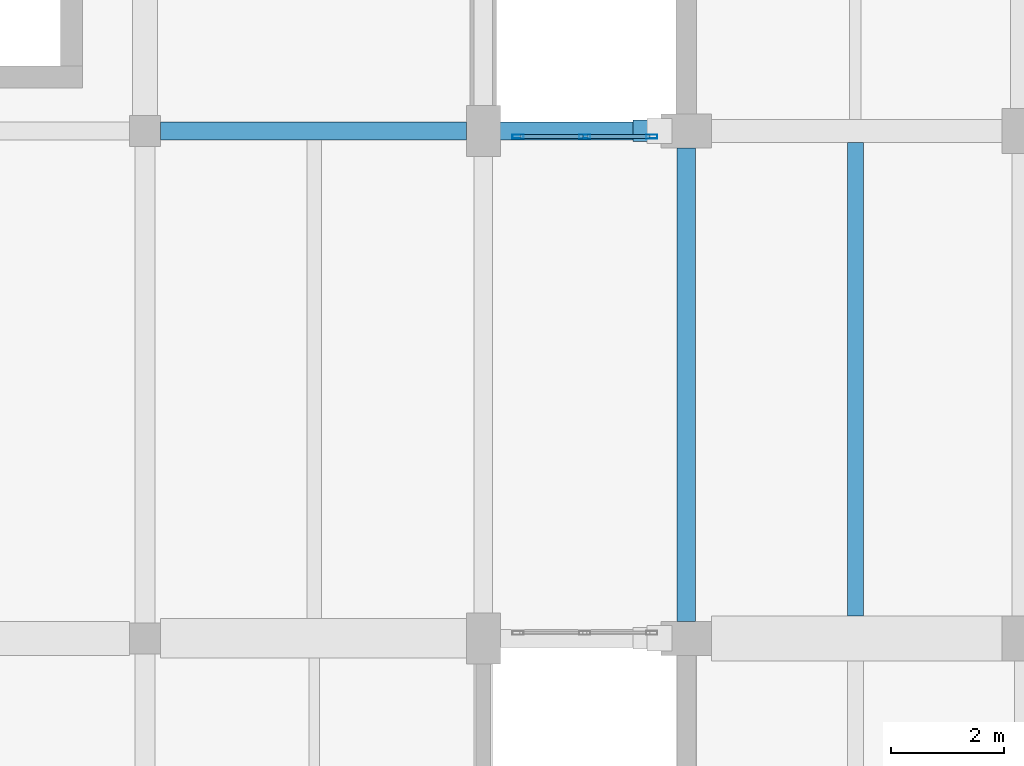
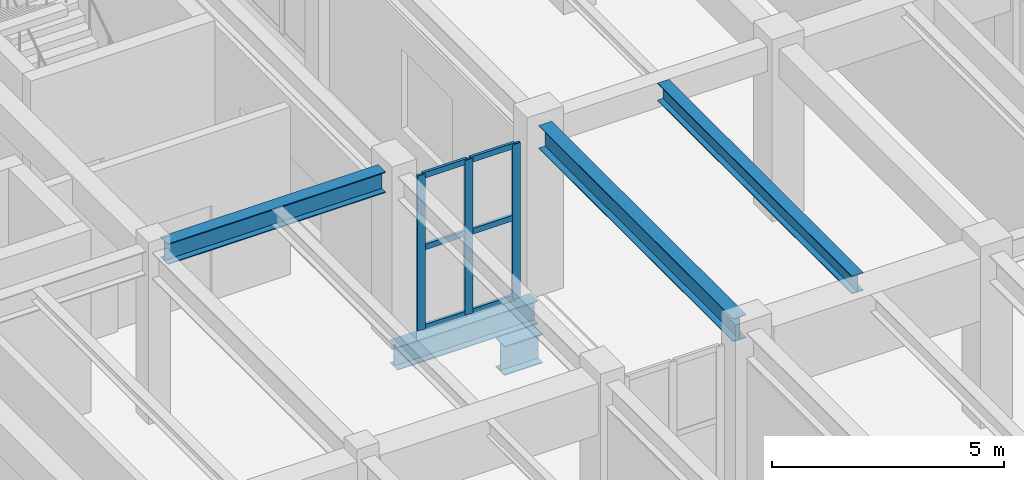
# One storey, part 17 of 96: 9 members, 5 beams, 1 element without a shape of its own.
"""IFC4 building model written with IfcOpenShell, lengths in metres."""

from ifc_helpers import new_model, si_unit, direction, frame, origin, origin_2d, place, context, subcontext, project, spatial, hollow_rectangle, i_section, extrude, material, layer, layer_set, material_profile, profile_set, type_object, element, aggregate, save


model = new_model("IFC4")

# Units and contexts
model_context = context("Model", 3, precision=1e-05, world=origin(), true_north=direction((0.0, 1.0)))
body_context = subcontext(model_context, "Body", "Model", "MODEL_VIEW")
ifc_project = project(units=[si_unit("LENGTHUNIT", "METRE"), si_unit("AREAUNIT", "SQUARE_METRE"), si_unit("VOLUMEUNIT", "CUBIC_METRE"), si_unit("PLANEANGLEUNIT", "RADIAN"), si_unit("MASSUNIT", "GRAM", prefix="KILO")], contexts=[model_context])

# Site, building, storey
site_placement = place(None, origin())
site = spatial("IfcSite", under=ifc_project, at=site_placement, CompositionType="ELEMENT")
building_placement = place(site_placement, origin())
building = spatial("IfcBuilding", under=site, at=building_placement, Name="Vaelkrest Opera House", CompositionType="ELEMENT")
storey_placement = place(building_placement, frame((0.0, 0.0, 5.39990234375)))
storey = spatial("IfcBuildingStorey", under=building, at=storey_placement, Name="L01", CompositionType="ELEMENT", Elevation=5.39990234375)

# Beam
ifc_material_1 = material(Name="Steel A992 Gr50", Category="steel")
ifc_material_profile_1 = material_profile(ifc_material_1, i_section(OverallWidth=0.31494140625, OverallDepth=0.551025390625, WebThickness=0.01513671875, FlangeThickness=0.0244140625, at=origin_2d()), Name="W21X122")
ifc_profile_set_1 = profile_set([ifc_material_profile_1], Name="Steel A992 Gr50")
beam_type_1 = type_object("IfcBeamType", Name="B20", PredefinedType="BEAM", material=ifc_profile_set_1)
beam_1_placement = place(storey_placement, frame((-39.324951171875, 1.199951171875, 4.224609375), z_axis=(1.0, 0.0, 0.0), x_axis=(0.0, 1.0, 0.0)))
element("IfcBeam", 1, at=beam_1_placement, inside=storey, type_object=beam_type_1, Name="Beam BM-V3-L01-1524", PredefinedType="BEAM", context=body_context, shape_type="SweptSolid", body=[
    extrude(i_section(OverallWidth=0.31494140625, OverallDepth=0.551025390625, WebThickness=0.01513671875, FlangeThickness=0.0244140625, at=origin_2d()), origin(), (0.0, 0.0, 1.0), 5.425048828125),
])

# Curtain wall, members
ifc_material_2 = material(Name="Dark bronze anodized aluminium", Category="aluminium")
ifc_layer = layer(ifc_material_2, 0.18994140625)
ifc_layer_set = layer_set([ifc_layer], Name="Dark bronze anodized aluminium")
curtain_wall_type = type_object("IfcCurtainWallType", Name="CW02", PredefinedType="NOTDEFINED", material=ifc_layer_set)
curtain_wall_placement = place(storey_placement, origin())
curtain_wall = element("IfcCurtainWall", 2, at=curtain_wall_placement, inside=storey, type_object=curtain_wall_type, Name="Curtain wall CW-L01-177", PredefinedType="NOTDEFINED")
ifc_material_profile_2 = material_profile(ifc_material_2, hollow_rectangle(XDim=0.070068359375, YDim=0.199951171875, WallThickness=0.004150390625, at=origin_2d()), Name="CWM70X200")
ifc_profile_set_2 = profile_set([ifc_material_profile_2], Name="Dark bronze anodized aluminium")
member_type_1 = type_object("IfcMemberType", Name="CWM02", PredefinedType="MULLION", material=ifc_profile_set_2)
member_1_placement = place(storey_placement, frame((-32.985107421875, 1.10009765625, 0.0), z_axis=(0.0, 0.0, 1.0), x_axis=(0.0, 1.0, 0.0)))
member_1 = element("IfcMember", 3, at=member_1_placement, type_object=member_type_1, Name="CW02 mullion 1", PredefinedType="MULLION", context=body_context, shape_type="SweptSolid", body=[
    extrude(hollow_rectangle(XDim=0.070068359375, YDim=0.199951171875, WallThickness=0.004150390625, at=origin_2d()), origin(), (0.0, 0.0, 1.0), 4.080078125),
])
member_2_placement = place(storey_placement, frame((-31.800048828125, 1.10009765625, 0.0), z_axis=(0.0, 0.0, 1.0), x_axis=(0.0, 1.0, 0.0)))
member_2 = element("IfcMember", 4, at=member_2_placement, type_object=member_type_1, Name="CW02 mullion 2", PredefinedType="MULLION", context=body_context, shape_type="SweptSolid", body=[
    extrude(hollow_rectangle(XDim=0.070068359375, YDim=0.199951171875, WallThickness=0.004150390625, at=origin_2d()), origin(), (0.0, 0.0, 1.0), 4.080078125),
])
member_3_placement = place(storey_placement, frame((-30.614990234375, 1.10009765625, 0.0), z_axis=(0.0, 0.0, 1.0), x_axis=(0.0, 1.0, 0.0)))
member_3 = element("IfcMember", 5, at=member_3_placement, type_object=member_type_1, Name="CW02 mullion 3", PredefinedType="MULLION", context=body_context, shape_type="SweptSolid", body=[
    extrude(hollow_rectangle(XDim=0.070068359375, YDim=0.199951171875, WallThickness=0.004150390625, at=origin_2d()), origin(), (0.0, 0.0, 1.0), 4.080078125),
])
ifc_material_profile_3 = material_profile(ifc_material_2, hollow_rectangle(XDim=0.070068359375, YDim=0.14990234375, WallThickness=0.004150390625, at=origin_2d()), Name="CWT70X150")
ifc_profile_set_3 = profile_set([ifc_material_profile_3], Name="Dark bronze anodized aluminium")
member_type_2 = type_object("IfcMemberType", Name="CWT02", PredefinedType="USERDEFINED", material=ifc_profile_set_3)
member_4_placement = place(storey_placement, frame((-32.949951171875, 1.10009765625, 0.03515625), z_axis=(1.0, 0.0, 0.0), x_axis=(0.0, 1.0, 0.0)))
member_4 = element("IfcMember", 6, at=member_4_placement, type_object=member_type_2, Name="CW02 transom 1.1", ObjectType="TRANSOM", PredefinedType="USERDEFINED", context=body_context, shape_type="SweptSolid", body=[
    extrude(hollow_rectangle(XDim=0.070068359375, YDim=0.14990234375, WallThickness=0.004150390625, at=origin_2d()), origin(), (0.0, 0.0, 1.0), 1.114990234375),
])
member_5_placement = place(storey_placement, frame((-32.949951171875, 1.10009765625, 2.150146484375), z_axis=(1.0, 0.0, 0.0), x_axis=(0.0, 1.0, 0.0)))
member_5 = element("IfcMember", 7, at=member_5_placement, type_object=member_type_2, Name="CW02 transom 1.2", ObjectType="TRANSOM", PredefinedType="USERDEFINED", context=body_context, shape_type="SweptSolid", body=[
    extrude(hollow_rectangle(XDim=0.070068359375, YDim=0.14990234375, WallThickness=0.004150390625, at=origin_2d()), origin(), (0.0, 0.0, 1.0), 1.114990234375),
])
member_6_placement = place(storey_placement, frame((-32.949951171875, 1.10009765625, 4.045166015625), z_axis=(1.0, 0.0, 0.0), x_axis=(0.0, 1.0, 0.0)))
member_6 = element("IfcMember", 8, at=member_6_placement, type_object=member_type_2, Name="CW02 transom 1.3", ObjectType="TRANSOM", PredefinedType="USERDEFINED", context=body_context, shape_type="SweptSolid", body=[
    extrude(hollow_rectangle(XDim=0.070068359375, YDim=0.14990234375, WallThickness=0.004150390625, at=origin_2d()), origin(), (0.0, 0.0, 1.0), 1.114990234375),
])
member_7_placement = place(storey_placement, frame((-31.764892578125, 1.10009765625, 0.03515625), z_axis=(1.0, 0.0, 0.0), x_axis=(0.0, 1.0, 0.0)))
member_7 = element("IfcMember", 9, at=member_7_placement, type_object=member_type_2, Name="CW02 transom 2.1", ObjectType="TRANSOM", PredefinedType="USERDEFINED", context=body_context, shape_type="SweptSolid", body=[
    extrude(hollow_rectangle(XDim=0.070068359375, YDim=0.14990234375, WallThickness=0.004150390625, at=origin_2d()), origin(), (0.0, 0.0, 1.0), 1.114990234375),
])
member_8_placement = place(storey_placement, frame((-31.764892578125, 1.10009765625, 2.150146484375), z_axis=(1.0, 0.0, 0.0), x_axis=(0.0, 1.0, 0.0)))
member_8 = element("IfcMember", 10, at=member_8_placement, type_object=member_type_2, Name="CW02 transom 2.2", ObjectType="TRANSOM", PredefinedType="USERDEFINED", context=body_context, shape_type="SweptSolid", body=[
    extrude(hollow_rectangle(XDim=0.070068359375, YDim=0.14990234375, WallThickness=0.004150390625, at=origin_2d()), origin(), (0.0, 0.0, 1.0), 1.114990234375),
])
member_9_placement = place(storey_placement, frame((-31.764892578125, 1.10009765625, 4.045166015625), z_axis=(1.0, 0.0, 0.0), x_axis=(0.0, 1.0, 0.0)))
member_9 = element("IfcMember", 11, at=member_9_placement, type_object=member_type_2, Name="CW02 transom 2.3", ObjectType="TRANSOM", PredefinedType="USERDEFINED", context=body_context, shape_type="SweptSolid", body=[
    extrude(hollow_rectangle(XDim=0.070068359375, YDim=0.14990234375, WallThickness=0.004150390625, at=origin_2d()), origin(), (0.0, 0.0, 1.0), 1.114990234375),
])
aggregate(curtain_wall, [member_1, member_2, member_3, member_4, member_5, member_6, member_7, member_8, member_9])

# Beams
ifc_material_profile_4 = material_profile(ifc_material_1, i_section(OverallWidth=0.282958984375, OverallDepth=0.471923828125, WebThickness=0.013671875, FlangeThickness=0.022216796875, at=origin_2d()), Name="W18X97")
ifc_profile_set_4 = profile_set([ifc_material_profile_4], Name="Steel A992 Gr50")
beam_type_2 = type_object("IfcBeamType", Name="J10", PredefinedType="JOIST", material=ifc_profile_set_4)
beam_2_placement = place(storey_placement, frame((-27.0, -7.39990234375, 4.26416015625), z_axis=(0.0, 1.0, 0.0), x_axis=(-1.0, 0.0, 0.0)))
element("IfcBeam", 12, at=beam_2_placement, inside=storey, type_object=beam_type_2, Name="Floor joist JST-V1-L01-0300", PredefinedType="JOIST", context=body_context, shape_type="SweptSolid", body=[
    extrude(i_section(OverallWidth=0.282958984375, OverallDepth=0.471923828125, WebThickness=0.013671875, FlangeThickness=0.022216796875, at=origin_2d()), origin(), (0.0, 0.0, 1.0), 8.39990234375),
])
ifc_material_profile_5 = material_profile(ifc_material_1, i_section(OverallWidth=0.323974609375, OverallDepth=0.611083984375, WebThickness=0.0126953125, FlangeThickness=0.01904296875, at=origin_2d()), Name="W24X104")
ifc_profile_set_5 = profile_set([ifc_material_profile_5], Name="Steel A992 Gr50")
beam_type_3 = type_object("IfcBeamType", Name="SP01", PredefinedType="SPANDREL", material=ifc_profile_set_5)
beam_3_placement = place(storey_placement, frame((-30.0, -7.5, 4.194580078125), z_axis=(0.0, 1.0, 0.0), x_axis=(-1.0, 0.0, 0.0)))
element("IfcBeam", 13, at=beam_3_placement, inside=storey, type_object=beam_type_3, Name="Beam BM-V1-L01-0262", PredefinedType="SPANDREL", context=body_context, shape_type="SweptSolid", body=[
    extrude(i_section(OverallWidth=0.323974609375, OverallDepth=0.611083984375, WebThickness=0.0126953125, FlangeThickness=0.01904296875, at=origin_2d()), origin(), (0.0, 0.0, 1.0), 8.39990234375),
])
beam_4_placement = place(storey_placement, frame((-33.60009765625, 1.199951171875, -0.52978515625), z_axis=(1.0, 0.0, 0.0), x_axis=(0.0, 1.0, 0.0)))
element("IfcBeam", 14, at=beam_4_placement, inside=storey, type_object=beam_type_3, Name="Bridge cantilever girder BR-W-L01 N", PredefinedType="SPANDREL", context=body_context, shape_type="SweptSolid", body=[
    extrude(i_section(OverallWidth=0.323974609375, OverallDepth=0.611083984375, WebThickness=0.0126953125, FlangeThickness=0.01904296875, at=origin_2d()), origin(), (0.0, 0.0, 1.0), 3.5),
])
ifc_material_profile_6 = material_profile(ifc_material_1, i_section(OverallWidth=0.381103515625, OverallDepth=0.77294921875, WebThickness=0.0166015625, FlangeThickness=0.027099609375, at=origin_2d()), Name="W30X173")
ifc_profile_set_6 = profile_set([ifc_material_profile_6], Name="Steel A992 Gr50")
beam_type_4 = type_object("IfcBeamType", Name="SP03", PredefinedType="SPANDREL", material=ifc_profile_set_6)
beam_5_placement = place(storey_placement, frame((-30.949951171875, 1.199951171875, -1.5), z_axis=(1.0, 0.0, 0.0), x_axis=(0.0, 1.0, 0.0)))
element("IfcBeam", 15, at=beam_5_placement, inside=storey, type_object=beam_type_4, Name="Seismic bridge 950mm RC corbel seat BR-W-L01 N", PredefinedType="SPANDREL", context=body_context, shape_type="SweptSolid", body=[
    extrude(i_section(OverallWidth=0.381103515625, OverallDepth=0.77294921875, WebThickness=0.0166015625, FlangeThickness=0.027099609375, at=origin_2d()), origin(), (0.0, 0.0, 1.0), 0.949951171875),
])

save(model, "model.ifc")
